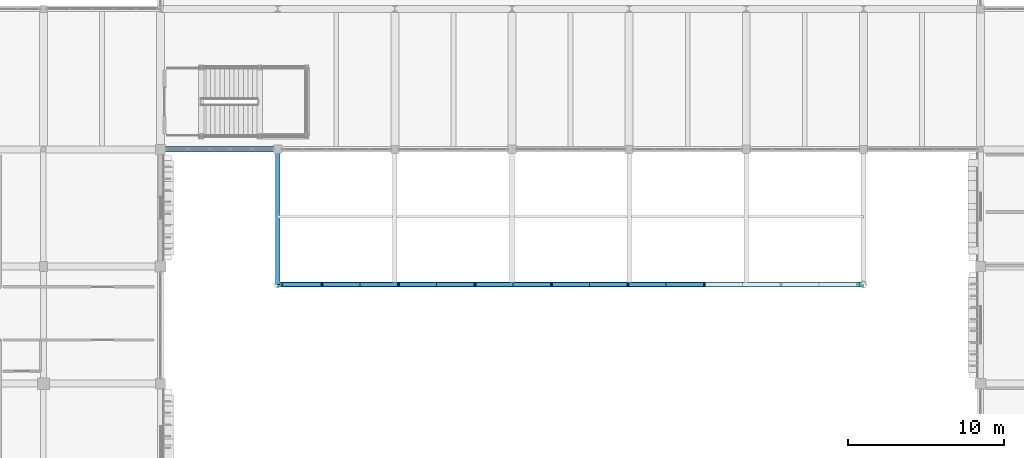
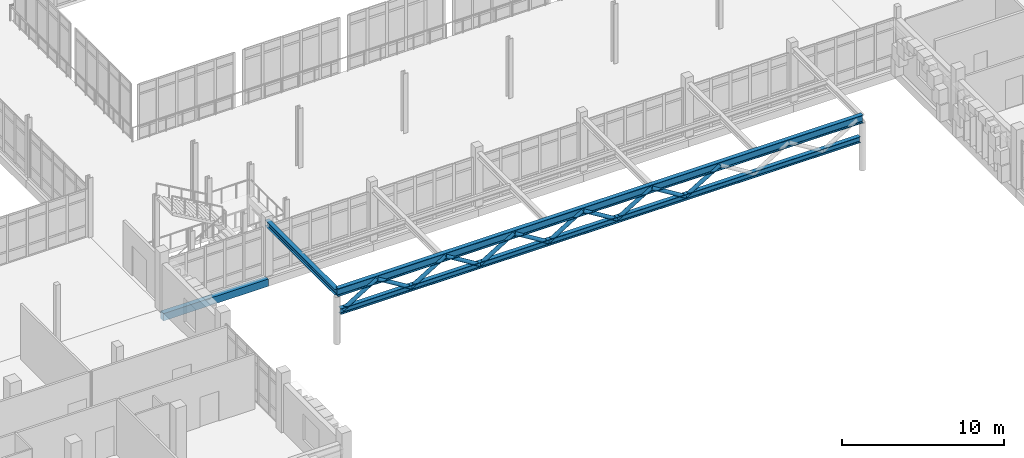
# One storey, part 26 of 128: 11 members, 4 beams.
"""IFC4 building model written with IfcOpenShell, lengths in metres."""

from ifc_helpers import new_model, si_unit, direction, frame, origin, origin_2d, place, context, subcontext, project, spatial, rectangle, hollow_circle, i_section, extrude, material, material_profile, profile_set, type_object, element, save


model = new_model("IFC4")

# Units and contexts
model_context = context("Model", 3, precision=1e-05, world=origin(), true_north=direction((0.0, 1.0)))
body_context = subcontext(model_context, "Body", "Model", "MODEL_VIEW")
ifc_project = project(units=[si_unit("LENGTHUNIT", "METRE"), si_unit("AREAUNIT", "SQUARE_METRE"), si_unit("VOLUMEUNIT", "CUBIC_METRE"), si_unit("PLANEANGLEUNIT", "RADIAN"), si_unit("MASSUNIT", "GRAM", prefix="KILO")], contexts=[model_context])

# Site, building, storey
site_placement = place(None, origin())
site = spatial("IfcSite", under=ifc_project, at=site_placement, CompositionType="ELEMENT")
building_placement = place(site_placement, origin())
building = spatial("IfcBuilding", under=site, at=building_placement, Name="Dalvernix Boulevard General Hospital", CompositionType="ELEMENT")
storey_placement = place(building_placement, frame((0.0, 0.0, 4.800048828125)))
storey = spatial("IfcBuildingStorey", under=building, at=storey_placement, Name="L01", CompositionType="ELEMENT", Elevation=4.800048828125)

# Beams
ifc_material_1 = material(Name="Steel S355", Category="steel")
ifc_material_profile_1 = material_profile(ifc_material_1, i_section(OverallWidth=0.300048828125, OverallDepth=0.60009765625, WebThickness=0.015380859375, FlangeThickness=0.030029296875, FilletRadius=0.027099609375, at=origin_2d()), Name="HEB 600")
ifc_profile_set_1 = profile_set([ifc_material_profile_1], Name="Steel S355")
beam_type_1 = type_object("IfcBeamType", Name="BM-RB-01", PredefinedType="BEAM", material=ifc_profile_set_1)
beam_1_placement = place(storey_placement, frame((67.5, 13.85009765625, 3.8798828125), z_axis=(1.0, 0.0, 0.0), x_axis=(0.0, 1.0, 0.0)))
element("IfcBeam", 1, at=beam_1_placement, inside=storey, type_object=beam_type_1, Name="ROOF TRUSS Porte-cochere portal continuous top chord", PredefinedType="BEAM", context=body_context, shape_type="SweptSolid", body=[
    extrude(i_section(OverallWidth=0.300048828125, OverallDepth=0.60009765625, WebThickness=0.015380859375, FlangeThickness=0.030029296875, FilletRadius=0.027099609375, at=origin_2d()), origin(), (0.0, 0.0, 1.0), 37.5),
])
ifc_material_profile_2 = material_profile(ifc_material_1, i_section(OverallWidth=0.300048828125, OverallDepth=0.449951171875, WebThickness=0.013916015625, FlangeThickness=0.02587890625, FilletRadius=0.027099609375, at=origin_2d()), Name="HEB 450")
ifc_profile_set_2 = profile_set([ifc_material_profile_2], Name="Steel S355")
beam_type_2 = type_object("IfcBeamType", Name="BM-RB-03", PredefinedType="BEAM", material=ifc_profile_set_2)
beam_2_placement = place(storey_placement, frame((67.7099609375, 13.85009765625, 2.3798828125), z_axis=(1.0, 0.0, 0.0), x_axis=(0.0, 1.0, 0.0)))
element("IfcBeam", 2, at=beam_2_placement, inside=storey, type_object=beam_type_2, Name="ROOF TRUSS Porte-cochere portal continuous bottom chord", PredefinedType="BEAM", context=body_context, shape_type="SweptSolid", body=[
    extrude(i_section(OverallWidth=0.300048828125, OverallDepth=0.449951171875, WebThickness=0.013916015625, FlangeThickness=0.02587890625, FilletRadius=0.027099609375, at=origin_2d()), origin(), (0.0, 0.0, 1.0), 37.080078125),
])
beam_3_placement = place(storey_placement, frame((67.5, 22.5, 3.8798828125), z_axis=(0.0, -1.0, 0.0), x_axis=(1.0, 0.0, 0.0)))
element("IfcBeam", 3, at=beam_3_placement, inside=storey, type_object=beam_type_2, Name="Porte-cochere canopy girder 1", PredefinedType="BEAM", context=body_context, shape_type="SweptSolid", body=[
    extrude(i_section(OverallWidth=0.300048828125, OverallDepth=0.449951171875, WebThickness=0.013916015625, FlangeThickness=0.02587890625, FilletRadius=0.027099609375, at=origin_2d()), origin(), (0.0, 0.0, 1.0), 8.64990234375),
])
ifc_material_2 = material(Name="Concrete C35/45", Category="concrete")
ifc_material_profile_3 = material_profile(ifc_material_2, rectangle(XDim=0.35009765625, YDim=0.550048828125, at=origin_2d()), Name="RCB 350x550")
ifc_profile_set_3 = profile_set([ifc_material_profile_3], Name="Concrete C35/45")
beam_type_3 = type_object("IfcBeamType", Name="BM-SB-01-E", PredefinedType="SPANDREL", material=ifc_profile_set_3)
beam_4_placement = place(storey_placement, frame((60.0, 22.5, -0.574951171875), z_axis=(1.0, 0.0, 0.0), x_axis=(0.0, 1.0, 0.0)))
element("IfcBeam", 4, at=beam_4_placement, inside=storey, type_object=beam_type_3, Name="L01 E-W girder D:9-10", PredefinedType="SPANDREL", context=body_context, shape_type="SweptSolid", body=[
    extrude(rectangle(XDim=0.35009765625, YDim=0.550048828125, at=origin_2d()), origin(), (0.0, 0.0, 1.0), 7.5),
])

# Members
ifc_material_profile_4 = material_profile(ifc_material_1, hollow_circle(Radius=0.136474609375, WallThickness=0.010009765625, at=origin_2d()), Name="CHS 273.0x10.0")
ifc_profile_set_4 = profile_set([ifc_material_profile_4], Name="Steel S355")
member_type = type_object("IfcMemberType", Name="MEM-STP-01", PredefinedType="BRACE", material=ifc_profile_set_4)
for number, where, z_axis, x_axis, name in (
    (5, (67.8798828125, 13.85009765625, 2.3798828125), (0.852800315741, 0.0, 0.522237131457), (0.0, 1.0, 0.0), "ROOF TRUSS Porte-cochere portal web diagonal 1"),
    (6, (70.329345703125, 13.85009765625, 3.8798828125), (0.852800315741, 0.0, -0.522237131457), (0.0, 1.0, 0.0), "ROOF TRUSS Porte-cochere portal web diagonal 2"),
):
    element("IfcMember", number, at=place(storey_placement, frame(where, z_axis=z_axis, x_axis=x_axis)), inside=storey, type_object=member_type, Name=name, PredefinedType="BRACE", context=body_context, shape_type="SweptSolid", body=[
        extrude(hollow_circle(Radius=0.136474609375, WallThickness=0.010009765625, at=origin_2d()), origin(), (0.0, 0.0, 1.0), 2.872314453125),
    ])
for number, where, z_axis, x_axis, name in (
    (7, (72.77880859375, 13.85009765625, 2.3798828125), (0.852777131159, 0.0, 0.522274989418), (0.0, 1.0, 0.0), "ROOF TRUSS Porte-cochere portal web diagonal 3"),
    (8, (75.22802734375, 13.85009765625, 3.8798828125), (0.852777131159, 0.0, -0.522274989418), (0.0, 1.0, 0.0), "ROOF TRUSS Porte-cochere portal web diagonal 4"),
):
    element("IfcMember", number, at=place(storey_placement, frame(where, z_axis=z_axis, x_axis=x_axis)), inside=storey, type_object=member_type, Name=name, PredefinedType="BRACE", context=body_context, shape_type="SweptSolid", body=[
        extrude(hollow_circle(Radius=0.136474609375, WallThickness=0.010009765625, at=origin_2d()), origin(), (0.0, 0.0, 1.0), 2.8720703125),
    ])
member_1_placement = place(storey_placement, frame((77.67724609375, 13.85009765625, 2.3798828125), z_axis=(0.852800315741, 0.0, 0.522237131457), x_axis=(0.0, 1.0, 0.0)))
element("IfcMember", 9, at=member_1_placement, inside=storey, type_object=member_type, Name="ROOF TRUSS Porte-cochere portal web diagonal 5", PredefinedType="BRACE", context=body_context, shape_type="SweptSolid", body=[
    extrude(hollow_circle(Radius=0.136474609375, WallThickness=0.010009765625, at=origin_2d()), origin(), (0.0, 0.0, 1.0), 2.872314453125),
])
member_2_placement = place(storey_placement, frame((80.126708984375, 13.85009765625, 3.8798828125), z_axis=(0.852777131159, 0.0, -0.522274989418), x_axis=(0.0, 1.0, 0.0)))
element("IfcMember", 10, at=member_2_placement, inside=storey, type_object=member_type, Name="ROOF TRUSS Porte-cochere portal web diagonal 6", PredefinedType="BRACE", context=body_context, shape_type="SweptSolid", body=[
    extrude(hollow_circle(Radius=0.136474609375, WallThickness=0.010009765625, at=origin_2d()), origin(), (0.0, 0.0, 1.0), 2.8720703125),
])
member_3_placement = place(storey_placement, frame((82.575927734375, 13.85009765625, 2.3798828125), z_axis=(0.852800315741, 0.0, 0.522237131457), x_axis=(0.0, 1.0, 0.0)))
element("IfcMember", 11, at=member_3_placement, inside=storey, type_object=member_type, Name="ROOF TRUSS Porte-cochere portal web diagonal 7", PredefinedType="BRACE", context=body_context, shape_type="SweptSolid", body=[
    extrude(hollow_circle(Radius=0.136474609375, WallThickness=0.010009765625, at=origin_2d()), origin(), (0.0, 0.0, 1.0), 2.872314453125),
])
member_4_placement = place(storey_placement, frame((85.025390625, 13.85009765625, 3.8798828125), z_axis=(0.852777131159, 0.0, -0.522274989418), x_axis=(0.0, 1.0, 0.0)))
element("IfcMember", 12, at=member_4_placement, inside=storey, type_object=member_type, Name="ROOF TRUSS Porte-cochere portal web diagonal 8", PredefinedType="BRACE", context=body_context, shape_type="SweptSolid", body=[
    extrude(hollow_circle(Radius=0.136474609375, WallThickness=0.010009765625, at=origin_2d()), origin(), (0.0, 0.0, 1.0), 2.8720703125),
])
member_5_placement = place(storey_placement, frame((87.474609375, 13.85009765625, 2.3798828125), z_axis=(0.852800315741, 0.0, 0.522237131457), x_axis=(0.0, 1.0, 0.0)))
element("IfcMember", 13, at=member_5_placement, inside=storey, type_object=member_type, Name="ROOF TRUSS Porte-cochere portal web diagonal 9", PredefinedType="BRACE", context=body_context, shape_type="SweptSolid", body=[
    extrude(hollow_circle(Radius=0.136474609375, WallThickness=0.010009765625, at=origin_2d()), origin(), (0.0, 0.0, 1.0), 2.872314453125),
])
member_6_placement = place(storey_placement, frame((89.924072265625, 13.85009765625, 3.8798828125), z_axis=(0.852777131159, 0.0, -0.522274989418), x_axis=(0.0, 1.0, 0.0)))
element("IfcMember", 14, at=member_6_placement, inside=storey, type_object=member_type, Name="ROOF TRUSS Porte-cochere portal web diagonal 10", PredefinedType="BRACE", context=body_context, shape_type="SweptSolid", body=[
    extrude(hollow_circle(Radius=0.136474609375, WallThickness=0.010009765625, at=origin_2d()), origin(), (0.0, 0.0, 1.0), 2.8720703125),
])
member_7_placement = place(storey_placement, frame((92.373291015625, 13.85009765625, 2.3798828125), z_axis=(0.852800315741, 0.0, 0.522237131457), x_axis=(0.0, 1.0, 0.0)))
element("IfcMember", 15, at=member_7_placement, inside=storey, type_object=member_type, Name="ROOF TRUSS Porte-cochere portal web diagonal 11", PredefinedType="BRACE", context=body_context, shape_type="SweptSolid", body=[
    extrude(hollow_circle(Radius=0.136474609375, WallThickness=0.010009765625, at=origin_2d()), origin(), (0.0, 0.0, 1.0), 2.872314453125),
])

save(model, "model.ifc")
